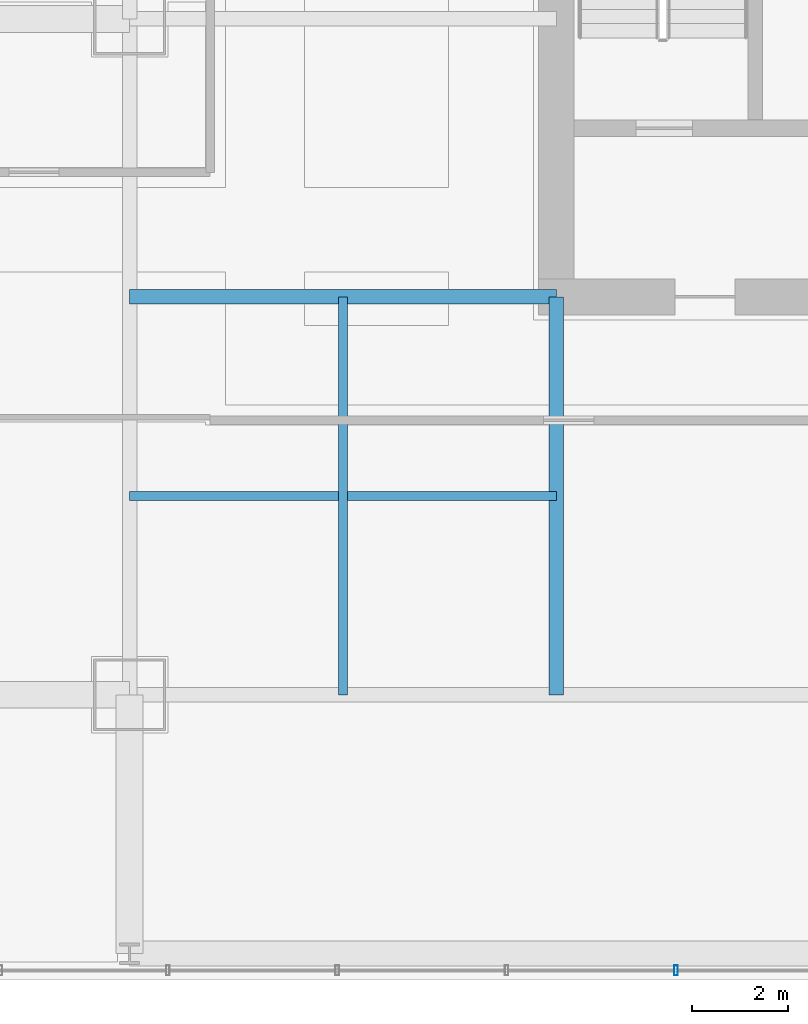
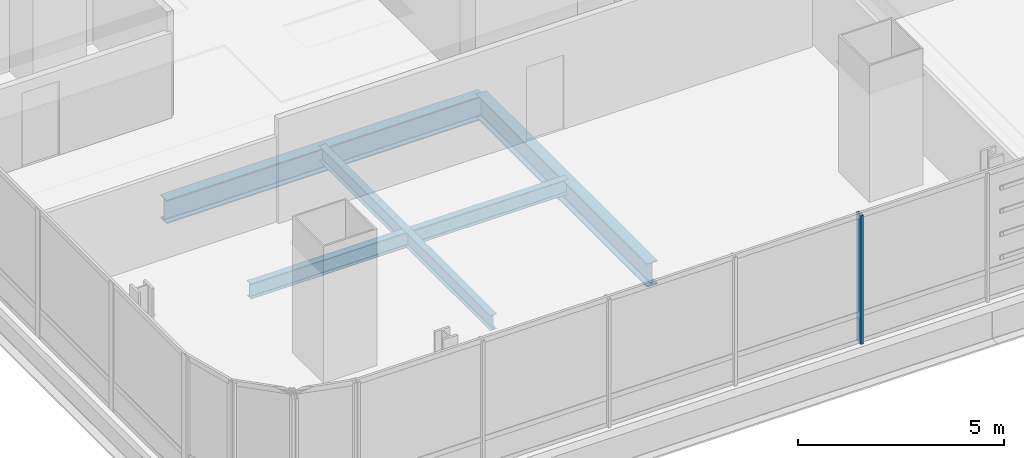
# One storey, part 5 of 36: 4 beams, 1 member, 1 element without a shape of its own.
"""IFC4 building model written with IfcOpenShell, lengths in metres."""

from ifc_helpers import new_model, si_unit, direction, frame, origin, origin_2d, place, context, subcontext, project, spatial, hollow_rectangle, i_section, extrude, material, material_profile, profile_set, type_object, element, aggregate, save


model = new_model("IFC4")

# Units and contexts
model_context = context("Model", 3, precision=1e-05, world=origin(), true_north=direction((0.0, 1.0)))
body_context = subcontext(model_context, "Body", "Model", "MODEL_VIEW")
ifc_project = project(units=[si_unit("LENGTHUNIT", "METRE"), si_unit("AREAUNIT", "SQUARE_METRE"), si_unit("VOLUMEUNIT", "CUBIC_METRE"), si_unit("PLANEANGLEUNIT", "RADIAN"), si_unit("MASSUNIT", "GRAM", prefix="KILO")], contexts=[model_context])

# Site, building, storey
site_placement = place(None, origin())
site = spatial("IfcSite", under=ifc_project, at=site_placement, CompositionType="ELEMENT")
building_placement = place(site_placement, origin())
building = spatial("IfcBuilding", under=site, at=building_placement, Name="Punatoya Terracotta Tower", CompositionType="ELEMENT")
storey_placement = place(building_placement, frame((0.0, 0.0, 36.300048828125)))
storey = spatial("IfcBuildingStorey", under=building, at=storey_placement, Name="L07", CompositionType="ELEMENT", Elevation=36.300048828125)

# Beams
ifc_material_1 = material(Name="Steel S355", Category="steel")
ifc_material_profile_1 = material_profile(ifc_material_1, i_section(OverallWidth=0.300048828125, OverallDepth=0.699951171875, WebThickness=0.01708984375, FlangeThickness=0.031982421875, FilletRadius=0.01806640625, at=origin_2d()))
ifc_profile_set_1 = profile_set([ifc_material_profile_1], Name="Steel S355")
beam_type_1 = type_object("IfcBeamType", Name="BM-PRI-700", PredefinedType="BEAM", material=ifc_profile_set_1)
beam_1_placement = place(storey_placement, frame((-19.10009765625, -9.199951171875, -0.590087890625), z_axis=(1.0, 0.0, 0.0), x_axis=(0.0, 1.0, 0.0)))
element("IfcBeam", 1, at=beam_1_placement, inside=storey, type_object=beam_type_1, Name="BM-L07-PR-WS", PredefinedType="BEAM", context=body_context, shape_type="SweptSolid", body=[
    extrude(i_section(OverallWidth=0.300048828125, OverallDepth=0.699951171875, WebThickness=0.01708984375, FlangeThickness=0.031982421875, FilletRadius=0.01806640625, at=origin_2d()), origin(), (0.0, 0.0, 1.0), 8.900146484375),
])
beam_2_placement = place(storey_placement, frame((-10.199951171875, -17.5, -0.590087890625), z_axis=(0.0, 1.0, 0.0), x_axis=(-1.0, 0.0, 0.0)))
element("IfcBeam", 2, at=beam_2_placement, inside=storey, type_object=beam_type_1, Name="BM-L07-PR-S1", PredefinedType="BEAM", context=body_context, shape_type="SweptSolid", body=[
    extrude(i_section(OverallWidth=0.300048828125, OverallDepth=0.699951171875, WebThickness=0.01708984375, FlangeThickness=0.031982421875, FilletRadius=0.01806640625, at=origin_2d()), origin(), (0.0, 0.0, 1.0), 8.300048828125),
])
ifc_material_profile_2 = material_profile(ifc_material_1, i_section(OverallWidth=0.18994140625, OverallDepth=0.449951171875, WebThickness=0.009521484375, FlangeThickness=0.0146484375, FilletRadius=0.01806640625, at=origin_2d()))
ifc_profile_set_2 = profile_set([ifc_material_profile_2], Name="Steel S355")
beam_type_2 = type_object("IfcBeamType", Name="BM-SEC-450", PredefinedType="JOIST", material=ifc_profile_set_2)
beam_3_placement = place(storey_placement, frame((-19.10009765625, -13.35009765625, -0.465087890625), z_axis=(1.0, 0.0, 0.0), x_axis=(0.0, 1.0, 0.0)))
element("IfcBeam", 3, at=beam_3_placement, inside=storey, type_object=beam_type_2, Name="BM-L07-SJS-1", PredefinedType="JOIST", context=body_context, shape_type="SweptSolid", body=[
    extrude(i_section(OverallWidth=0.18994140625, OverallDepth=0.449951171875, WebThickness=0.009521484375, FlangeThickness=0.0146484375, FilletRadius=0.01806640625, at=origin_2d()), origin(), (0.0, 0.0, 1.0), 8.900146484375),
])
beam_4_placement = place(storey_placement, frame((-14.64990234375, -17.5, -0.465087890625), z_axis=(0.0, 1.0, 0.0), x_axis=(-1.0, 0.0, 0.0)))
element("IfcBeam", 4, at=beam_4_placement, inside=storey, type_object=beam_type_2, Name="BM-L07-SJW-1", PredefinedType="JOIST", context=body_context, shape_type="SweptSolid", body=[
    extrude(i_section(OverallWidth=0.18994140625, OverallDepth=0.449951171875, WebThickness=0.009521484375, FlangeThickness=0.0146484375, FilletRadius=0.01806640625, at=origin_2d()), origin(), (0.0, 0.0, 1.0), 8.300048828125),
])

# Curtain wall, member
ifc_material_2 = material(Name="Aluminium 6063-T6 + Double Low-E Glass", Category="aluminium")
curtain_wall_type = type_object("IfcCurtainWallType", Name="CW-M1", PredefinedType="NOTDEFINED", material=ifc_material_2)
curtain_wall_placement = place(storey_placement, origin())
curtain_wall = element("IfcCurtainWall", 5, at=curtain_wall_placement, inside=storey, type_object=curtain_wall_type, Name="L07 Curtain Wall CW-L07-S01-1", PredefinedType="NOTDEFINED")
ifc_material_3 = material(Name="Aluminium 6063-T6", Category="aluminium")
ifc_material_profile_3 = material_profile(ifc_material_3, hollow_rectangle(XDim=0.074951171875, YDim=0.2099609375, WallThickness=0.00439453125, at=origin_2d()))
ifc_profile_set_3 = profile_set([ifc_material_profile_3], Name="Aluminium 6063-T6")
member_type = type_object("IfcMemberType", Name="CW-MUL-M1", PredefinedType="MULLION", material=ifc_profile_set_3)
member_placement = place(storey_placement, frame((-7.700927734375, -23.25, 0.0), z_axis=(0.0, 0.0, 1.0), x_axis=(1.0, 0.0, 0.0)))
member = element("IfcMember", 6, at=member_placement, type_object=member_type, Name="CW-L07-S01-1 Mullion 04", PredefinedType="MULLION", context=body_context, shape_type="SweptSolid", body=[
    extrude(hollow_rectangle(XDim=0.074951171875, YDim=0.2099609375, WallThickness=0.00439453125, at=origin_2d()), origin(), (0.0, 0.0, 1.0), 3.81005859375),
])
aggregate(curtain_wall, [member])

save(model, "model.ifc")
